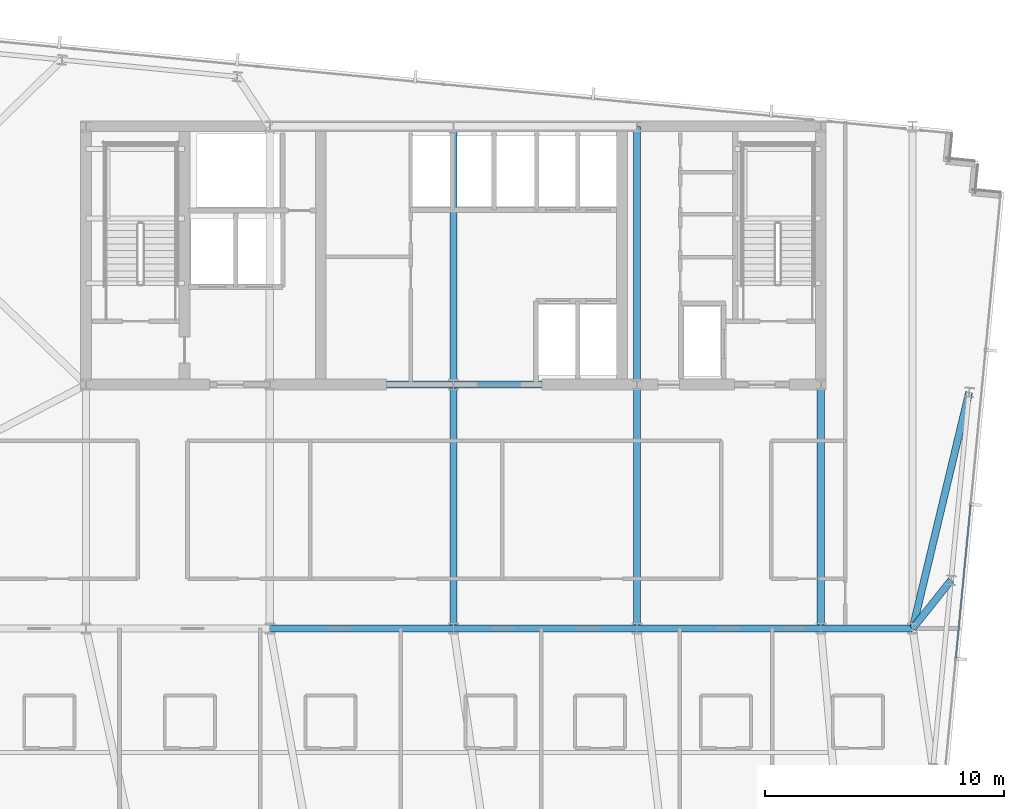
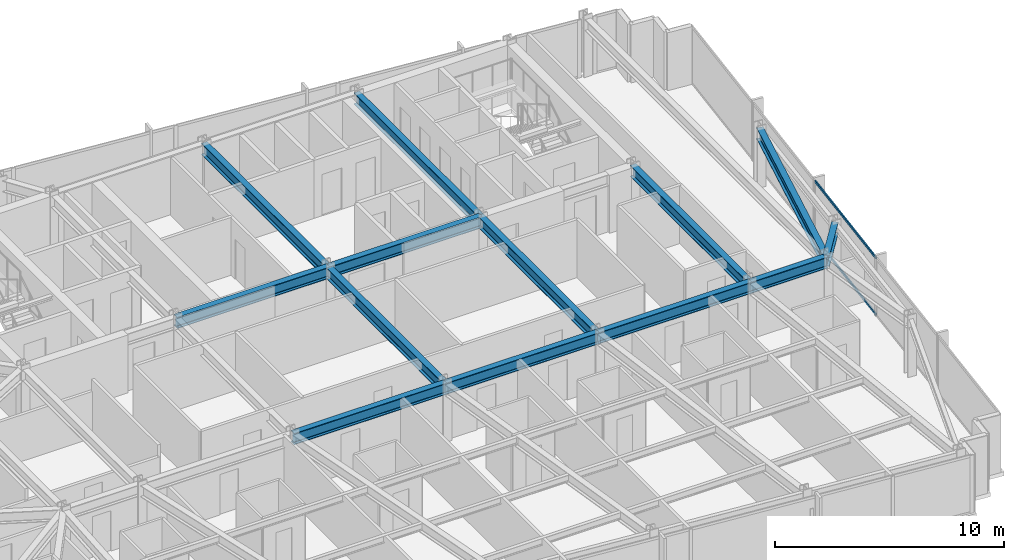
# One storey, part 17 of 37: 13 beams, 2 members, 1 element without a shape of its own.
"""IFC4 building model written with IfcOpenShell, lengths in metres."""

from ifc_helpers import new_model, si_unit, direction, frame, origin, origin_2d, place, context, subcontext, project, spatial, hollow_rectangle, i_section, extrude, material, material_profile, profile_set, type_object, element, aggregate, save


model = new_model("IFC4")

# Units and contexts
model_context = context("Model", 3, precision=1e-05, world=origin(), true_north=direction((0.0, 1.0)))
body_context = subcontext(model_context, "Body", "Model", "MODEL_VIEW")
ifc_project = project(units=[si_unit("LENGTHUNIT", "METRE"), si_unit("AREAUNIT", "SQUARE_METRE"), si_unit("VOLUMEUNIT", "CUBIC_METRE"), si_unit("PLANEANGLEUNIT", "RADIAN"), si_unit("MASSUNIT", "GRAM", prefix="KILO")], contexts=[model_context])

# Site, building, storey
site_placement = place(None, origin())
site = spatial("IfcSite", under=ifc_project, at=site_placement, CompositionType="ELEMENT")
building_placement = place(site_placement, origin())
building = spatial("IfcBuilding", under=site, at=building_placement, Name="Yelkora Congress Tower", CompositionType="ELEMENT")
storey_placement = place(building_placement, frame((0.0, 0.0, 162.199951171875)))
storey = spatial("IfcBuildingStorey", under=building, at=storey_placement, Name="L44", CompositionType="ELEMENT", Elevation=162.199951171875)

# Beams
ifc_material_1 = material(Name="Steel S355J2", Category="steel")
ifc_material_profile_1 = material_profile(ifc_material_1, i_section(OverallWidth=0.300048828125, OverallDepth=0.60009765625, WebThickness=0.015380859375, FlangeThickness=0.030029296875, FilletRadius=0.027099609375, at=origin_2d()), Name="HEB 600")
ifc_profile_set_1 = profile_set([ifc_material_profile_1], Name="Steel S355J2")
beam_type = type_object("IfcBeamType", Name="BM-GIRD-HEB600", PredefinedType="BEAM", material=ifc_profile_set_1)
beam_1_placement = place(storey_placement, frame((30.719970703125, 25.199951171875, 2.780029296875), z_axis=(1.0, 0.0, 0.0), x_axis=(0.0, 1.0, 0.0)))
element("IfcBeam", 1, at=beam_1_placement, inside=storey, type_object=beam_type, Name="L44 Spine Grid D Girder 3", PredefinedType="BEAM", context=body_context, shape_type="SweptSolid", body=[
    extrude(i_section(OverallWidth=0.300048828125, OverallDepth=0.60009765625, WebThickness=0.015380859375, FlangeThickness=0.030029296875, FilletRadius=0.027099609375, at=origin_2d()), origin(), (0.0, 0.0, 1.0), 7.679931640625),
])
beam_2_placement = place(storey_placement, frame((38.39990234375, 25.199951171875, 2.780029296875), z_axis=(1.0, 0.0, 0.0), x_axis=(0.0, 1.0, 0.0)))
element("IfcBeam", 2, at=beam_2_placement, inside=storey, type_object=beam_type, Name="L44 Spine Grid D Girder 4", PredefinedType="BEAM", context=body_context, shape_type="SweptSolid", body=[
    extrude(i_section(OverallWidth=0.300048828125, OverallDepth=0.60009765625, WebThickness=0.015380859375, FlangeThickness=0.030029296875, FilletRadius=0.027099609375, at=origin_2d()), origin(), (0.0, 0.0, 1.0), 7.68017578125),
])
beam_3_placement = place(storey_placement, frame((46.080078125, 25.199951171875, 2.780029296875), z_axis=(1.0, 0.0, 0.0), x_axis=(0.0, 1.0, 0.0)))
element("IfcBeam", 3, at=beam_3_placement, inside=storey, type_object=beam_type, Name="L44 Spine Grid D Girder 5", PredefinedType="BEAM", context=body_context, shape_type="SweptSolid", body=[
    extrude(i_section(OverallWidth=0.300048828125, OverallDepth=0.60009765625, WebThickness=0.015380859375, FlangeThickness=0.030029296875, FilletRadius=0.027099609375, at=origin_2d()), origin(), (0.0, 0.0, 1.0), 7.679931640625),
])
beam_4_placement = place(storey_placement, frame((53.760009765625, 25.199951171875, 2.780029296875), z_axis=(1.0, 0.0, 0.0), x_axis=(0.0, 1.0, 0.0)))
element("IfcBeam", 4, at=beam_4_placement, inside=storey, type_object=beam_type, Name="L44 Spine Grid D Girder 6", PredefinedType="BEAM", context=body_context, shape_type="SweptSolid", body=[
    extrude(i_section(OverallWidth=0.300048828125, OverallDepth=0.60009765625, WebThickness=0.015380859375, FlangeThickness=0.030029296875, FilletRadius=0.027099609375, at=origin_2d()), origin(), (0.0, 0.0, 1.0), 3.840087890625),
])
beam_5_placement = place(storey_placement, frame((30.719970703125, 35.39990234375, 2.780029296875), z_axis=(1.0, 0.0, 0.0), x_axis=(0.0, 1.0, 0.0)))
element("IfcBeam", 5, at=beam_5_placement, inside=storey, type_object=beam_type, Name="L44 Core South Girder 2", PredefinedType="BEAM", context=body_context, shape_type="SweptSolid", body=[
    extrude(i_section(OverallWidth=0.300048828125, OverallDepth=0.60009765625, WebThickness=0.015380859375, FlangeThickness=0.030029296875, FilletRadius=0.027099609375, at=origin_2d()), origin(), (0.0, 0.0, 1.0), 7.679931640625),
])
beam_6_placement = place(storey_placement, frame((38.39990234375, 35.39990234375, 2.780029296875), z_axis=(1.0, 0.0, 0.0), x_axis=(0.0, 1.0, 0.0)))
element("IfcBeam", 6, at=beam_6_placement, inside=storey, type_object=beam_type, Name="L44 Core South Girder 3", PredefinedType="BEAM", context=body_context, shape_type="SweptSolid", body=[
    extrude(i_section(OverallWidth=0.300048828125, OverallDepth=0.60009765625, WebThickness=0.015380859375, FlangeThickness=0.030029296875, FilletRadius=0.027099609375, at=origin_2d()), origin(), (0.0, 0.0, 1.0), 7.68017578125),
])
beam_7_placement = place(storey_placement, frame((38.39990234375, 25.199951171875, 2.780029296875), z_axis=(0.0, 1.0, 0.0), x_axis=(-1.0, 0.0, 0.0)))
element("IfcBeam", 7, at=beam_7_placement, inside=storey, type_object=beam_type, Name="L44 Core Tie Girder MC-D3", PredefinedType="BEAM", context=body_context, shape_type="SweptSolid", body=[
    extrude(i_section(OverallWidth=0.300048828125, OverallDepth=0.60009765625, WebThickness=0.015380859375, FlangeThickness=0.030029296875, FilletRadius=0.027099609375, at=origin_2d()), origin(), (0.0, 0.0, 1.0), 10.199951171875),
])
beam_8_placement = place(storey_placement, frame((38.39990234375, 35.39990234375, 2.780029296875), z_axis=(0.0, 1.0, 0.0), x_axis=(-1.0, 0.0, 0.0)))
element("IfcBeam", 8, at=beam_8_placement, inside=storey, type_object=beam_type, Name="L44 Core Tie Girder MC-S3", PredefinedType="BEAM", context=body_context, shape_type="SweptSolid", body=[
    extrude(i_section(OverallWidth=0.300048828125, OverallDepth=0.60009765625, WebThickness=0.015380859375, FlangeThickness=0.030029296875, FilletRadius=0.027099609375, at=origin_2d()), origin(), (0.0, 0.0, 1.0), 10.800048828125),
])
beam_9_placement = place(storey_placement, frame((46.080078125, 25.199951171875, 2.780029296875), z_axis=(0.0, 1.0, 0.0), x_axis=(-1.0, 0.0, 0.0)))
element("IfcBeam", 9, at=beam_9_placement, inside=storey, type_object=beam_type, Name="L44 Core Tie Girder MC-D4", PredefinedType="BEAM", context=body_context, shape_type="SweptSolid", body=[
    extrude(i_section(OverallWidth=0.300048828125, OverallDepth=0.60009765625, WebThickness=0.015380859375, FlangeThickness=0.030029296875, FilletRadius=0.027099609375, at=origin_2d()), origin(), (0.0, 0.0, 1.0), 10.199951171875),
])
beam_10_placement = place(storey_placement, frame((46.080078125, 35.39990234375, 2.780029296875), z_axis=(0.0, 1.0, 0.0), x_axis=(-1.0, 0.0, 0.0)))
element("IfcBeam", 10, at=beam_10_placement, inside=storey, type_object=beam_type, Name="L44 Core Tie Girder MC-S4", PredefinedType="BEAM", context=body_context, shape_type="SweptSolid", body=[
    extrude(i_section(OverallWidth=0.300048828125, OverallDepth=0.60009765625, WebThickness=0.015380859375, FlangeThickness=0.030029296875, FilletRadius=0.027099609375, at=origin_2d()), origin(), (0.0, 0.0, 1.0), 10.800048828125),
])
beam_11_placement = place(storey_placement, frame((53.760009765625, 25.199951171875, 2.780029296875), z_axis=(0.0, 1.0, 0.0), x_axis=(-1.0, 0.0, 0.0)))
element("IfcBeam", 11, at=beam_11_placement, inside=storey, type_object=beam_type, Name="L44 Core Tie Girder MC-D5", PredefinedType="BEAM", context=body_context, shape_type="SweptSolid", body=[
    extrude(i_section(OverallWidth=0.300048828125, OverallDepth=0.60009765625, WebThickness=0.015380859375, FlangeThickness=0.030029296875, FilletRadius=0.027099609375, at=origin_2d()), origin(), (0.0, 0.0, 1.0), 10.199951171875),
])
beam_12_placement = place(storey_placement, frame((59.206298828125, 27.217529296875, 2.780029296875), z_axis=(-0.622834511353, -0.782353610248, 0.0), x_axis=(0.782353610248, -0.622834511353, 0.0)))
element("IfcBeam", 12, at=beam_12_placement, inside=storey, type_object=beam_type, Name="L44 Primary Frame Girder E02", PredefinedType="BEAM", context=body_context, shape_type="SweptSolid", body=[
    extrude(i_section(OverallWidth=0.300048828125, OverallDepth=0.60009765625, WebThickness=0.015380859375, FlangeThickness=0.030029296875, FilletRadius=0.027099609375, at=origin_2d()), origin(), (0.0, 0.0, 1.0), 2.578857421875),
])
beam_13_placement = place(storey_placement, frame((59.96337890625, 35.0810546875, 2.780029296875), z_axis=(-0.23261126158, -0.972569792347, 0.0), x_axis=(0.972569792347, -0.23261126158, 0.0)))
element("IfcBeam", 13, at=beam_13_placement, inside=storey, type_object=beam_type, Name="L44 Primary Frame Girder E03", PredefinedType="BEAM", context=body_context, shape_type="SweptSolid", body=[
    extrude(i_section(OverallWidth=0.300048828125, OverallDepth=0.60009765625, WebThickness=0.015380859375, FlangeThickness=0.030029296875, FilletRadius=0.027099609375, at=origin_2d()), origin(), (0.0, 0.0, 1.0), 10.15966796875),
])

# Curtain wall, members
ifc_material_2 = material(Name="Anodised aluminium and insulated glass", Category="aluminium")
curtain_wall_type = type_object("IfcCurtainWallType", Name="CW-SYS-B3", PredefinedType="NOTDEFINED", material=ifc_material_2)
curtain_wall_placement = place(storey_placement, origin())
curtain_wall = element("IfcCurtainWall", 14, at=curtain_wall_placement, inside=storey, type_object=curtain_wall_type, Name="L44 Unitised Curtain Wall 15", PredefinedType="NOTDEFINED")
ifc_material_3 = material(Name="Anodised aluminium 6063-T6", Category="aluminium")
ifc_material_profile_2 = material_profile(ifc_material_3, hollow_rectangle(XDim=0.06005859375, YDim=0.1298828125, WallThickness=0.00390625, at=origin_2d()), Name="ALU 60x130x4")
ifc_profile_set_2 = profile_set([ifc_material_profile_2], Name="Anodised aluminium 6063-T6")
member_type = type_object("IfcMemberType", Name="MEM-TR-B3", PredefinedType="USERDEFINED", material=ifc_profile_set_2)
member_1_placement = place(storey_placement, frame((60.021484375, 30.36083984375, 0.030029296875), z_axis=(-0.095843682057, -0.995396397728, 0.0), x_axis=(0.995396397728, -0.095843682057, 0.0)))
member_1 = element("IfcMember", 15, at=member_1_placement, type_object=member_type, Name="CW-B3 transom 3.1", ObjectType="TRANSOM", PredefinedType="USERDEFINED", context=body_context, shape_type="SweptSolid", body=[
    extrude(hollow_rectangle(XDim=0.06005859375, YDim=0.1298828125, WallThickness=0.00390625, at=origin_2d()), origin(), (0.0, 0.0, 1.0), 6.4140625),
])
member_2_placement = place(storey_placement, frame((60.021484375, 30.36083984375, 3.050048828125), z_axis=(-0.095843682057, -0.995396397728, 0.0), x_axis=(0.995396397728, -0.095843682057, 0.0)))
member_2 = element("IfcMember", 16, at=member_2_placement, type_object=member_type, Name="CW-B3 transom 3.2", ObjectType="TRANSOM", PredefinedType="USERDEFINED", context=body_context, shape_type="SweptSolid", body=[
    extrude(hollow_rectangle(XDim=0.06005859375, YDim=0.1298828125, WallThickness=0.00390625, at=origin_2d()), origin(), (0.0, 0.0, 1.0), 6.4140625),
])
aggregate(curtain_wall, [member_1, member_2])

save(model, "model.ifc")
